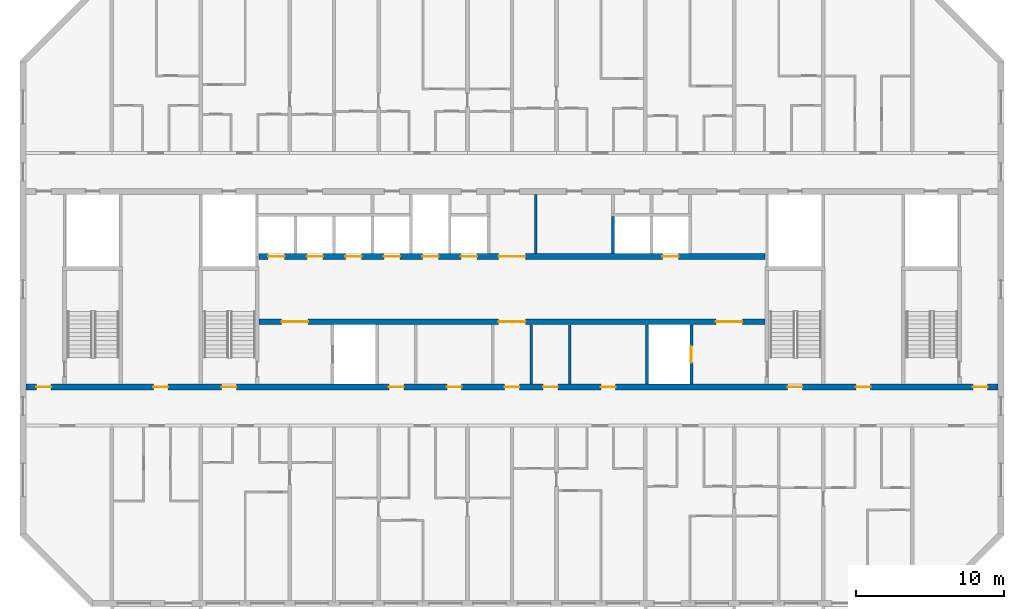
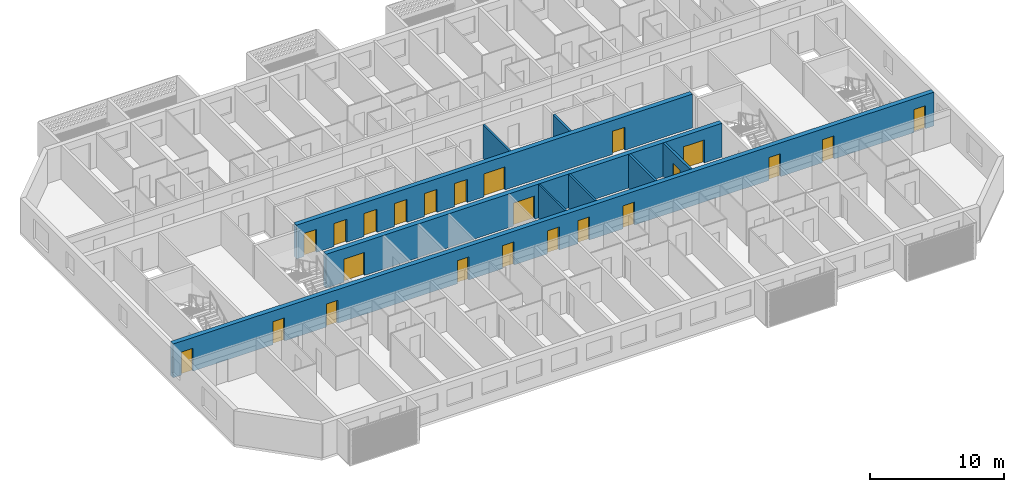
# One storey, part 6 of 28: 23 doors, 9 walls, 23 openings.
"""IFC4 building model written with IfcOpenShell, lengths in metres."""

from ifc_helpers import new_model, si_unit, direction, frame, frame_2d, origin, place, context, subcontext, project, spatial, rectangle, extrude, material, layer, layer_set, type_object, element, fill, save


model = new_model("IFC4")

# Units and contexts
model_context = context("Model", 3, precision=1e-05, world=origin(), true_north=direction((0.0, 1.0)))
body_context = subcontext(model_context, "Body", "Model", "MODEL_VIEW")
ifc_project = project(units=[si_unit("LENGTHUNIT", "METRE"), si_unit("AREAUNIT", "SQUARE_METRE"), si_unit("VOLUMEUNIT", "CUBIC_METRE"), si_unit("PLANEANGLEUNIT", "RADIAN"), si_unit("MASSUNIT", "GRAM", prefix="KILO")], contexts=[model_context])

# Site, building, storey
site_placement = place(None, origin())
site = spatial("IfcSite", under=ifc_project, at=site_placement, CompositionType="ELEMENT")
building_placement = place(site_placement, origin())
building = spatial("IfcBuilding", under=site, at=building_placement, Name="Poui Terraces", CompositionType="ELEMENT")
storey_placement = place(building_placement, frame((0.0, 0.0, 181.800048828125)))
storey = spatial("IfcBuildingStorey", under=building, at=storey_placement, Name="L50", CompositionType="ELEMENT", Elevation=181.800048828125)

# Wall, openings, doors
ifc_material_1 = material(Name="Concrete 50 MPa", Category="concrete")
ifc_layer_1 = layer(ifc_material_1, 0.39990234375)
ifc_layer_set_1 = layer_set([ifc_layer_1], Name="Concrete 50 MPa")
wall_type_1 = type_object("IfcWallType", Name="CORE WALL 400 50 MPA", PredefinedType="SOLIDWALL", material=ifc_layer_set_1)
wall_1_placement = place(storey_placement, frame((33.925048828125, 19.0, 0.0), z_axis=(0.0, 0.0, 1.0), x_axis=(1.0, 0.0, 0.0)))
wall_1 = element("IfcWall", 1, at=wall_1_placement, inside=storey, type_object=wall_type_1, Name="CORE WALL", PredefinedType="SOLIDWALL", context=body_context, shape_type="SweptSolid", body=[
    extrude(rectangle(XDim=34.14990234375, YDim=0.39990234375, at=frame_2d((17.074951171875, 0.0))), origin(), (0.0, 0.0, 1.0), 3.079833984375),
])
opening_1_placement = place(wall_1_placement, frame((16.175048828125, 0.0, 0.0)))
opening_1 = element("IfcOpeningElement", 2, at=opening_1_placement, cuts=wall_1, Name="Opening FDD60", PredefinedType="OPENING", context=body_context, shape_type="SweptSolid", body=[
    extrude(rectangle(XDim=1.800048828125, YDim=2.10009765625, at=frame_2d((0.89990234375, 1.050048828125))), frame((0.0, 0.2099609375, 0.0), z_axis=(0.0, -1.0, 0.0), x_axis=(1.0, 0.0, 0.0)), (0.0, 0.0, 1.0), 0.419921875),
])
opening_2_placement = place(wall_1_placement, frame((1.52490234375, 0.0, 0.0)))
opening_2 = element("IfcOpeningElement", 3, at=opening_2_placement, cuts=wall_1, Name="Opening FDD60", PredefinedType="OPENING", context=body_context, shape_type="SweptSolid", body=[
    extrude(rectangle(XDim=1.800048828125, YDim=2.10009765625, at=frame_2d((0.89990234375, 1.050048828125))), frame((0.0, 0.2099609375, 0.0), z_axis=(0.0, -1.0, 0.0), x_axis=(1.0, 0.0, 0.0)), (0.0, 0.0, 1.0), 0.419921875),
])
opening_3_placement = place(wall_1_placement, frame((30.824951171875, 0.0, 0.0)))
opening_3 = element("IfcOpeningElement", 4, at=opening_3_placement, cuts=wall_1, Name="Opening FDD60", PredefinedType="OPENING", context=body_context, shape_type="SweptSolid", body=[
    extrude(rectangle(XDim=1.800048828125, YDim=2.10009765625, at=frame_2d((0.89990234375, 1.050048828125))), frame((0.0, 0.2099609375, 0.0), z_axis=(0.0, -1.0, 0.0), x_axis=(1.0, 0.0, 0.0)), (0.0, 0.0, 1.0), 0.419921875),
])
ifc_material_2 = material(Name="Steel fire door", Category="steel")
door_type_1 = type_object("IfcDoorType", Name="DOUBLE LOBBY FIRE DOOR 1800 X 2100", OperationType="DOUBLE_DOOR_SINGLE_SWING", PredefinedType="DOOR", material=ifc_material_2)
door_1_placement = place(opening_1_placement, frame((1.800048828125, 0.0, 0.0), z_axis=(0.0, 0.0, 1.0), x_axis=(-1.0, 0.0, 0.0)))
door_1 = element("IfcDoor", 5, at=door_1_placement, inside=storey, type_object=door_type_1, Name="DOUBLE LOBBY FIRE DOOR 107", OperationType="DOUBLE_DOOR_SINGLE_SWING", OverallHeight=2.10009765625, OverallWidth=1.800048828125, PredefinedType="DOOR", context=body_context, shape_type="SweptSolid", body=[
    extrude(rectangle(XDim=1.800048828125, YDim=2.10009765625, at=frame_2d((0.89990234375, 1.050048828125))), frame((0.0, 0.02490234375, 0.0), z_axis=(0.0, -1.0, 0.0), x_axis=(1.0, 0.0, 0.0)), (0.0, 0.0, 1.0), 0.050048828125),
])
fill(opening_1, door_1)
door_2_placement = place(opening_2_placement, origin())
door_2 = element("IfcDoor", 6, at=door_2_placement, inside=storey, type_object=door_type_1, Name="DOUBLE LOBBY FIRE DOOR 109", OperationType="DOUBLE_DOOR_SINGLE_SWING", OverallHeight=2.10009765625, OverallWidth=1.800048828125, PredefinedType="DOOR", context=body_context, shape_type="SweptSolid", body=[
    extrude(rectangle(XDim=1.800048828125, YDim=2.10009765625, at=frame_2d((0.89990234375, 1.050048828125))), frame((0.0, 0.02490234375, 0.0), z_axis=(0.0, -1.0, 0.0), x_axis=(1.0, 0.0, 0.0)), (0.0, 0.0, 1.0), 0.050048828125),
])
fill(opening_2, door_2)
door_3_placement = place(opening_3_placement, origin())
door_3 = element("IfcDoor", 7, at=door_3_placement, inside=storey, type_object=door_type_1, Name="DOUBLE LOBBY FIRE DOOR 116", OperationType="DOUBLE_DOOR_SINGLE_SWING", OverallHeight=2.10009765625, OverallWidth=1.800048828125, PredefinedType="DOOR", context=body_context, shape_type="SweptSolid", body=[
    extrude(rectangle(XDim=1.800048828125, YDim=2.10009765625, at=frame_2d((0.89990234375, 1.050048828125))), frame((0.0, 0.02490234375, 0.0), z_axis=(0.0, -1.0, 0.0), x_axis=(1.0, 0.0, 0.0)), (0.0, 0.0, 1.0), 0.050048828125),
])
fill(opening_3, door_3)

wall_2_placement = place(storey_placement, frame((33.925048828125, 23.39990234375, 0.0), z_axis=(0.0, 0.0, 1.0), x_axis=(1.0, 0.0, 0.0)))
wall_2 = element("IfcWall", 8, at=wall_2_placement, inside=storey, type_object=wall_type_1, Name="CORE WALL", PredefinedType="SOLIDWALL", context=body_context, shape_type="SweptSolid", body=[
    extrude(rectangle(XDim=34.14990234375, YDim=0.39990234375, at=frame_2d((17.074951171875, 0.0))), origin(), (0.0, 0.0, 1.0), 3.079833984375),
])
opening_4_placement = place(wall_2_placement, frame((16.175048828125, 0.0, 0.0)))
opening_4 = element("IfcOpeningElement", 9, at=opening_4_placement, cuts=wall_2, Name="Opening FDD60", PredefinedType="OPENING", context=body_context, shape_type="SweptSolid", body=[
    extrude(rectangle(XDim=1.800048828125, YDim=2.10009765625, at=frame_2d((0.89990234375, 1.050048828125))), frame((0.0, 0.2099609375, 0.0), z_axis=(0.0, -1.0, 0.0), x_axis=(1.0, 0.0, 0.0)), (0.0, 0.0, 1.0), 0.419921875),
])
opening_5_placement = place(wall_2_placement, frame((0.625, 0.0, 0.0)))
opening_5 = element("IfcOpeningElement", 10, at=opening_5_placement, cuts=wall_2, Name="Opening LD", PredefinedType="OPENING", context=body_context, shape_type="SweptSolid", body=[
    extrude(rectangle(XDim=1.10009765625, YDim=2.10009765625, at=frame_2d((0.550048828125, 1.050048828125))), frame((0.0, 0.2099609375, 0.0), z_axis=(0.0, -1.0, 0.0), x_axis=(1.0, 0.0, 0.0)), (0.0, 0.0, 1.0), 0.419921875),
])
opening_6_placement = place(wall_2_placement, frame((3.22509765625, 0.0, 0.0)))
opening_6 = element("IfcOpeningElement", 11, at=opening_6_placement, cuts=wall_2, Name="Opening LD", PredefinedType="OPENING", context=body_context, shape_type="SweptSolid", body=[
    extrude(rectangle(XDim=1.10009765625, YDim=2.10009765625, at=frame_2d((0.550048828125, 1.050048828125))), frame((0.0, 0.2099609375, 0.0), z_axis=(0.0, -1.0, 0.0), x_axis=(1.0, 0.0, 0.0)), (0.0, 0.0, 1.0), 0.419921875),
])
opening_7_placement = place(wall_2_placement, frame((5.824951171875, 0.0, 0.0)))
opening_7 = element("IfcOpeningElement", 12, at=opening_7_placement, cuts=wall_2, Name="Opening LD", PredefinedType="OPENING", context=body_context, shape_type="SweptSolid", body=[
    extrude(rectangle(XDim=1.10009765625, YDim=2.10009765625, at=frame_2d((0.550048828125, 1.050048828125))), frame((0.0, 0.2099609375, 0.0), z_axis=(0.0, -1.0, 0.0), x_axis=(1.0, 0.0, 0.0)), (0.0, 0.0, 1.0), 0.419921875),
])
opening_8_placement = place(wall_2_placement, frame((8.425048828125, 0.0, 0.0)))
opening_8 = element("IfcOpeningElement", 13, at=opening_8_placement, cuts=wall_2, Name="Opening LD", PredefinedType="OPENING", context=body_context, shape_type="SweptSolid", body=[
    extrude(rectangle(XDim=1.10009765625, YDim=2.10009765625, at=frame_2d((0.550048828125, 1.050048828125))), frame((0.0, 0.2099609375, 0.0), z_axis=(0.0, -1.0, 0.0), x_axis=(1.0, 0.0, 0.0)), (0.0, 0.0, 1.0), 0.419921875),
])
opening_9_placement = place(wall_2_placement, frame((11.02490234375, 0.0, 0.0)))
opening_9 = element("IfcOpeningElement", 14, at=opening_9_placement, cuts=wall_2, Name="Opening LD", PredefinedType="OPENING", context=body_context, shape_type="SweptSolid", body=[
    extrude(rectangle(XDim=1.10009765625, YDim=2.10009765625, at=frame_2d((0.550048828125, 1.050048828125))), frame((0.0, 0.2099609375, 0.0), z_axis=(0.0, -1.0, 0.0), x_axis=(1.0, 0.0, 0.0)), (0.0, 0.0, 1.0), 0.419921875),
])
opening_10_placement = place(wall_2_placement, frame((13.625, 0.0, 0.0)))
opening_10 = element("IfcOpeningElement", 15, at=opening_10_placement, cuts=wall_2, Name="Opening LD", PredefinedType="OPENING", context=body_context, shape_type="SweptSolid", body=[
    extrude(rectangle(XDim=1.10009765625, YDim=2.10009765625, at=frame_2d((0.550048828125, 1.050048828125))), frame((0.0, 0.2099609375, 0.0), z_axis=(0.0, -1.0, 0.0), x_axis=(1.0, 0.0, 0.0)), (0.0, 0.0, 1.0), 0.419921875),
])
opening_11_placement = place(wall_2_placement, frame((27.22509765625, 0.0, 0.0)))
opening_11 = element("IfcOpeningElement", 16, at=opening_11_placement, cuts=wall_2, Name="Opening LD", PredefinedType="OPENING", context=body_context, shape_type="SweptSolid", body=[
    extrude(rectangle(XDim=1.10009765625, YDim=2.10009765625, at=frame_2d((0.550048828125, 1.050048828125))), frame((0.0, 0.2099609375, 0.0), z_axis=(0.0, -1.0, 0.0), x_axis=(1.0, 0.0, 0.0)), (0.0, 0.0, 1.0), 0.419921875),
])
door_4_placement = place(opening_4_placement, origin())
door_4 = element("IfcDoor", 17, at=door_4_placement, inside=storey, type_object=door_type_1, Name="DOUBLE LOBBY FIRE DOOR 106", OperationType="DOUBLE_DOOR_SINGLE_SWING", OverallHeight=2.10009765625, OverallWidth=1.800048828125, PredefinedType="DOOR", context=body_context, shape_type="SweptSolid", body=[
    extrude(rectangle(XDim=1.800048828125, YDim=2.10009765625, at=frame_2d((0.89990234375, 1.050048828125))), frame((0.0, 0.02490234375, 0.0), z_axis=(0.0, -1.0, 0.0), x_axis=(1.0, 0.0, 0.0)), (0.0, 0.0, 1.0), 0.050048828125),
])
fill(opening_4, door_4)
ifc_material_3 = material(Name="Stainless steel sliding door", Category="steel")
door_type_2 = type_object("IfcDoorType", Name="LIFT LANDING DOOR 1100 X 2100", OperationType="DOUBLE_DOOR_SLIDING", PredefinedType="DOOR", material=ifc_material_3)
door_5_placement = place(opening_5_placement, origin())
door_5 = element("IfcDoor", 18, at=door_5_placement, inside=storey, type_object=door_type_2, Name="LANDING DOOR", OperationType="DOUBLE_DOOR_SLIDING", OverallHeight=2.10009765625, OverallWidth=1.10009765625, PredefinedType="DOOR", context=body_context, shape_type="SweptSolid", body=[
    extrude(rectangle(XDim=1.10009765625, YDim=2.10009765625, at=frame_2d((0.550048828125, 1.050048828125))), frame((0.0, 0.02490234375, 0.0), z_axis=(0.0, -1.0, 0.0), x_axis=(1.0, 0.0, 0.0)), (0.0, 0.0, 1.0), 0.050048828125),
])
fill(opening_5, door_5)
door_6_placement = place(opening_6_placement, origin())
door_6 = element("IfcDoor", 19, at=door_6_placement, inside=storey, type_object=door_type_2, Name="LANDING DOOR", OperationType="DOUBLE_DOOR_SLIDING", OverallHeight=2.10009765625, OverallWidth=1.10009765625, PredefinedType="DOOR", context=body_context, shape_type="SweptSolid", body=[
    extrude(rectangle(XDim=1.10009765625, YDim=2.10009765625, at=frame_2d((0.550048828125, 1.050048828125))), frame((0.0, 0.02490234375, 0.0), z_axis=(0.0, -1.0, 0.0), x_axis=(1.0, 0.0, 0.0)), (0.0, 0.0, 1.0), 0.050048828125),
])
fill(opening_6, door_6)
door_7_placement = place(opening_7_placement, origin())
door_7 = element("IfcDoor", 20, at=door_7_placement, inside=storey, type_object=door_type_2, Name="LANDING DOOR", OperationType="DOUBLE_DOOR_SLIDING", OverallHeight=2.10009765625, OverallWidth=1.10009765625, PredefinedType="DOOR", context=body_context, shape_type="SweptSolid", body=[
    extrude(rectangle(XDim=1.10009765625, YDim=2.10009765625, at=frame_2d((0.550048828125, 1.050048828125))), frame((0.0, 0.02490234375, 0.0), z_axis=(0.0, -1.0, 0.0), x_axis=(1.0, 0.0, 0.0)), (0.0, 0.0, 1.0), 0.050048828125),
])
fill(opening_7, door_7)
door_8_placement = place(opening_8_placement, origin())
door_8 = element("IfcDoor", 21, at=door_8_placement, inside=storey, type_object=door_type_2, Name="LANDING DOOR", OperationType="DOUBLE_DOOR_SLIDING", OverallHeight=2.10009765625, OverallWidth=1.10009765625, PredefinedType="DOOR", context=body_context, shape_type="SweptSolid", body=[
    extrude(rectangle(XDim=1.10009765625, YDim=2.10009765625, at=frame_2d((0.550048828125, 1.050048828125))), frame((0.0, 0.02490234375, 0.0), z_axis=(0.0, -1.0, 0.0), x_axis=(1.0, 0.0, 0.0)), (0.0, 0.0, 1.0), 0.050048828125),
])
fill(opening_8, door_8)
door_9_placement = place(opening_9_placement, origin())
door_9 = element("IfcDoor", 22, at=door_9_placement, inside=storey, type_object=door_type_2, Name="LANDING DOOR", OperationType="DOUBLE_DOOR_SLIDING", OverallHeight=2.10009765625, OverallWidth=1.10009765625, PredefinedType="DOOR", context=body_context, shape_type="SweptSolid", body=[
    extrude(rectangle(XDim=1.10009765625, YDim=2.10009765625, at=frame_2d((0.550048828125, 1.050048828125))), frame((0.0, 0.02490234375, 0.0), z_axis=(0.0, -1.0, 0.0), x_axis=(1.0, 0.0, 0.0)), (0.0, 0.0, 1.0), 0.050048828125),
])
fill(opening_9, door_9)
door_10_placement = place(opening_10_placement, origin())
door_10 = element("IfcDoor", 23, at=door_10_placement, inside=storey, type_object=door_type_2, Name="LANDING DOOR", OperationType="DOUBLE_DOOR_SLIDING", OverallHeight=2.10009765625, OverallWidth=1.10009765625, PredefinedType="DOOR", context=body_context, shape_type="SweptSolid", body=[
    extrude(rectangle(XDim=1.10009765625, YDim=2.10009765625, at=frame_2d((0.550048828125, 1.050048828125))), frame((0.0, 0.02490234375, 0.0), z_axis=(0.0, -1.0, 0.0), x_axis=(1.0, 0.0, 0.0)), (0.0, 0.0, 1.0), 0.050048828125),
])
fill(opening_10, door_10)
door_11_placement = place(opening_11_placement, origin())
door_11 = element("IfcDoor", 24, at=door_11_placement, inside=storey, type_object=door_type_2, Name="LANDING DOOR", OperationType="DOUBLE_DOOR_SLIDING", OverallHeight=2.10009765625, OverallWidth=1.10009765625, PredefinedType="DOOR", context=body_context, shape_type="SweptSolid", body=[
    extrude(rectangle(XDim=1.10009765625, YDim=2.10009765625, at=frame_2d((0.550048828125, 1.050048828125))), frame((0.0, 0.02490234375, 0.0), z_axis=(0.0, -1.0, 0.0), x_axis=(1.0, 0.0, 0.0)), (0.0, 0.0, 1.0), 0.050048828125),
])
fill(opening_11, door_11)

# Walls
ifc_material_4 = material(Name="Fire-rated plasterboard wall")
ifc_layer_2 = layer(ifc_material_4, 0.14990234375)
ifc_layer_set_2 = layer_set([ifc_layer_2], Name="Fire-rated plasterboard wall")
wall_type_2 = type_object("IfcWallType", Name="CORRIDOR WALL 150", PredefinedType="PARTITIONING", material=ifc_layer_set_2)
for number, where, z_axis, x_axis, name in (
    (25, (52.300048828125, 14.81005859375, 0.0), (0.0, 0.0, 1.0), (0.0, 1.0, 0.0), "CORRIDOR WALL 150"),
    (26, (52.60009765625, 23.610107421875, 0.0), (0.0, 0.0, 1.0), (0.0, 1.0, 0.0), "CORRIDOR WALL 150"),
):
    element("IfcWall", number, at=place(storey_placement, frame(where, z_axis=z_axis, x_axis=x_axis)), inside=storey, type_object=wall_type_2, Name=name, PredefinedType="PARTITIONING", context=body_context, shape_type="SweptSolid", body=[
        extrude(rectangle(XDim=3.97998046875, YDim=0.14990234375, at=frame_2d((1.989990234375, 0.0))), origin(), (0.0, 0.0, 1.0), 3.079833984375),
    ])
ifc_material_5 = material(Name="Plasterboard partition")
ifc_layer_3 = layer(ifc_material_5, 0.14990234375)
ifc_layer_set_3 = layer_set([ifc_layer_3], Name="Plasterboard partition")
wall_type_3 = type_object("IfcWallType", Name="PARTITION WALL 150", PredefinedType="PARTITIONING", material=ifc_layer_set_3)
wall_3_placement = place(storey_placement, frame((54.89990234375, 14.81005859375, 0.0), z_axis=(0.0, 0.0, 1.0), x_axis=(0.0, 1.0, 0.0)))
element("IfcWall", 27, at=wall_3_placement, inside=storey, type_object=wall_type_3, Name="PARTITION WALL 150", PredefinedType="PARTITIONING", context=body_context, shape_type="SweptSolid", body=[
    extrude(rectangle(XDim=3.97998046875, YDim=0.14990234375, at=frame_2d((1.989990234375, 0.0))), origin(), (0.0, 0.0, 1.0), 3.079833984375),
])
ifc_material_6 = material(Name="Fire-rated masonry shaft wall", Category="masonry")
ifc_layer_4 = layer(ifc_material_6, 0.199951171875)
ifc_layer_set_4 = layer_set([ifc_layer_4], Name="Fire-rated masonry shaft wall")
wall_type_4 = type_object("IfcWallType", Name="SHAFT WALL 200", PredefinedType="PARTITIONING", material=ifc_layer_set_4)
wall_4_placement = place(storey_placement, frame((57.800048828125, 23.610107421875, 0.0), z_axis=(0.0, 0.0, 1.0), x_axis=(0.0, 1.0, 0.0)))
element("IfcWall", 28, at=wall_4_placement, inside=storey, type_object=wall_type_4, Name="SHAFT WALL 200", PredefinedType="PARTITIONING", context=body_context, shape_type="SweptSolid", body=[
    extrude(rectangle(XDim=2.489990234375, YDim=0.199951171875, at=frame_2d((1.2451171875, 0.0))), origin(), (0.0, 0.0, 1.0), 3.079833984375),
])
wall_5_placement = place(storey_placement, frame((60.10009765625, 14.81005859375, 0.0), z_axis=(0.0, 0.0, 1.0), x_axis=(0.0, 1.0, 0.0)))
element("IfcWall", 29, at=wall_5_placement, inside=storey, type_object=wall_type_4, Name="SHAFT WALL 200", PredefinedType="PARTITIONING", context=body_context, shape_type="SweptSolid", body=[
    extrude(rectangle(XDim=3.97998046875, YDim=0.199951171875, at=frame_2d((1.989990234375, 0.0))), origin(), (0.0, 0.0, 1.0), 3.079833984375),
])

# Wall, opening, door
wall_6_placement = place(storey_placement, frame((63.10009765625, 14.81005859375, 0.0), z_axis=(0.0, 0.0, 1.0), x_axis=(0.0, 1.0, 0.0)))
wall_6 = element("IfcWall", 30, at=wall_6_placement, inside=storey, type_object=wall_type_4, Name="SHAFT WALL 200", PredefinedType="PARTITIONING", context=body_context, shape_type="SweptSolid", body=[
    extrude(rectangle(XDim=3.97998046875, YDim=0.199951171875, at=frame_2d((1.989990234375, 0.0))), origin(), (0.0, 0.0, 1.0), 3.079833984375),
])
opening_12_placement = place(wall_6_placement, frame((1.43994140625, 0.0, 0.0)))
opening_12 = element("IfcOpeningElement", 31, at=opening_12_placement, cuts=wall_6, Name="Opening LD", PredefinedType="OPENING", context=body_context, shape_type="SweptSolid", body=[
    extrude(rectangle(XDim=1.10009765625, YDim=2.10009765625, at=frame_2d((0.550048828125, 1.050048828125))), frame((0.0, 0.10986328125, 0.0), z_axis=(0.0, -1.0, 0.0), x_axis=(1.0, 0.0, 0.0)), (0.0, 0.0, 1.0), 0.219970703125),
])
door_12_placement = place(opening_12_placement, origin())
door_12 = element("IfcDoor", 32, at=door_12_placement, inside=storey, type_object=door_type_2, Name="LANDING DOOR", OperationType="DOUBLE_DOOR_SLIDING", OverallHeight=2.10009765625, OverallWidth=1.10009765625, PredefinedType="DOOR", context=body_context, shape_type="SweptSolid", body=[
    extrude(rectangle(XDim=1.10009765625, YDim=2.10009765625, at=frame_2d((0.550048828125, 1.050048828125))), frame((0.0, 0.02490234375, 0.0), z_axis=(0.0, -1.0, 0.0), x_axis=(1.0, 0.0, 0.0)), (0.0, 0.0, 1.0), 0.050048828125),
])
fill(opening_12, door_12)

# Wall, openings, doors
ifc_layer_5 = layer(ifc_material_1, 0.39990234375)
ifc_layer_set_5 = layer_set([ifc_layer_5], Name="Concrete 50 MPa")
wall_type_5 = type_object("IfcWallType", Name="SPINE WALL 400 50 MPA", PredefinedType="SOLIDWALL", material=ifc_layer_set_5)
wall_7_placement = place(storey_placement, frame((18.199951171875, 14.60009765625, 0.0), z_axis=(0.0, 0.0, 1.0), x_axis=(1.0, 0.0, 0.0)))
wall_7 = element("IfcWall", 33, at=wall_7_placement, inside=storey, type_object=wall_type_5, Name="SPINE WALL", PredefinedType="SOLIDWALL", context=body_context, shape_type="SweptSolid", body=[
    extrude(rectangle(XDim=65.60009765625, YDim=0.39990234375, at=frame_2d((32.800048828125, 0.0))), origin(), (0.0, 0.0, 1.0), 3.079833984375),
])
opening_13_placement = place(wall_7_placement, frame((0.699951171875, 0.0, 0.0)))
opening_13 = element("IfcOpeningElement", 34, at=opening_13_placement, cuts=wall_7, Name="Opening FDL", PredefinedType="OPENING", context=body_context, shape_type="SweptSolid", body=[
    extrude(rectangle(XDim=1.0, YDim=2.10009765625, at=frame_2d((0.5, 1.050048828125))), frame((0.0, 0.2099609375, 0.0), z_axis=(0.0, -1.0, 0.0), x_axis=(1.0, 0.0, 0.0)), (0.0, 0.0, 1.0), 0.419921875),
])
opening_14_placement = place(wall_7_placement, frame((8.60009765625, 0.0, 0.0)))
opening_14 = element("IfcOpeningElement", 35, at=opening_14_placement, cuts=wall_7, Name="Opening D100", PredefinedType="OPENING", context=body_context, shape_type="SweptSolid", body=[
    extrude(rectangle(XDim=1.0, YDim=2.10009765625, at=frame_2d((0.5, 1.050048828125))), frame((0.0, 0.2099609375, 0.0), z_axis=(0.0, -1.0, 0.0), x_axis=(1.0, 0.0, 0.0)), (0.0, 0.0, 1.0), 0.419921875),
])
opening_15_placement = place(wall_7_placement, frame((13.199951171875, 0.0, 0.0)))
opening_15 = element("IfcOpeningElement", 36, at=opening_15_placement, cuts=wall_7, Name="Opening FD60S", PredefinedType="OPENING", context=body_context, shape_type="SweptSolid", body=[
    extrude(rectangle(XDim=1.0, YDim=2.10009765625, at=frame_2d((0.5, 1.050048828125))), frame((0.0, 0.2099609375, 0.0), z_axis=(0.0, -1.0, 0.0), x_axis=(1.0, 0.0, 0.0)), (0.0, 0.0, 1.0), 0.419921875),
])
opening_16_placement = place(wall_7_placement, frame((24.5, 0.0, 0.0)))
opening_16 = element("IfcOpeningElement", 37, at=opening_16_placement, cuts=wall_7, Name="Opening FD60", PredefinedType="OPENING", context=body_context, shape_type="SweptSolid", body=[
    extrude(rectangle(XDim=1.0, YDim=2.10009765625, at=frame_2d((0.5, 1.050048828125))), frame((0.0, 0.2099609375, 0.0), z_axis=(0.0, -1.0, 0.0), x_axis=(1.0, 0.0, 0.0)), (0.0, 0.0, 1.0), 0.419921875),
])
opening_17_placement = place(wall_7_placement, frame((28.39990234375, 0.0, 0.0)))
opening_17 = element("IfcOpeningElement", 38, at=opening_17_placement, cuts=wall_7, Name="Opening FD60", PredefinedType="OPENING", context=body_context, shape_type="SweptSolid", body=[
    extrude(rectangle(XDim=1.0, YDim=2.10009765625, at=frame_2d((0.5, 1.050048828125))), frame((0.0, 0.2099609375, 0.0), z_axis=(0.0, -1.0, 0.0), x_axis=(1.0, 0.0, 0.0)), (0.0, 0.0, 1.0), 0.419921875),
])
opening_18_placement = place(wall_7_placement, frame((32.300048828125, 0.0, 0.0)))
opening_18 = element("IfcOpeningElement", 39, at=opening_18_placement, cuts=wall_7, Name="Opening FDL", PredefinedType="OPENING", context=body_context, shape_type="SweptSolid", body=[
    extrude(rectangle(XDim=1.0, YDim=2.10009765625, at=frame_2d((0.5, 1.050048828125))), frame((0.0, 0.2099609375, 0.0), z_axis=(0.0, -1.0, 0.0), x_axis=(1.0, 0.0, 0.0)), (0.0, 0.0, 1.0), 0.419921875),
])
opening_19_placement = place(wall_7_placement, frame((34.89990234375, 0.0, 0.0)))
opening_19 = element("IfcOpeningElement", 40, at=opening_19_placement, cuts=wall_7, Name="Opening FD60", PredefinedType="OPENING", context=body_context, shape_type="SweptSolid", body=[
    extrude(rectangle(XDim=1.0, YDim=2.10009765625, at=frame_2d((0.5, 1.050048828125))), frame((0.0, 0.2099609375, 0.0), z_axis=(0.0, -1.0, 0.0), x_axis=(1.0, 0.0, 0.0)), (0.0, 0.0, 1.0), 0.419921875),
])
opening_20_placement = place(wall_7_placement, frame((38.800048828125, 0.0, 0.0)))
opening_20 = element("IfcOpeningElement", 41, at=opening_20_placement, cuts=wall_7, Name="Opening FD60", PredefinedType="OPENING", context=body_context, shape_type="SweptSolid", body=[
    extrude(rectangle(XDim=1.0, YDim=2.10009765625, at=frame_2d((0.5, 1.050048828125))), frame((0.0, 0.2099609375, 0.0), z_axis=(0.0, -1.0, 0.0), x_axis=(1.0, 0.0, 0.0)), (0.0, 0.0, 1.0), 0.419921875),
])
opening_21_placement = place(wall_7_placement, frame((51.39990234375, 0.0, 0.0)))
opening_21 = element("IfcOpeningElement", 42, at=opening_21_placement, cuts=wall_7, Name="Opening FD60S", PredefinedType="OPENING", context=body_context, shape_type="SweptSolid", body=[
    extrude(rectangle(XDim=1.0, YDim=2.10009765625, at=frame_2d((0.5, 1.050048828125))), frame((0.0, 0.2099609375, 0.0), z_axis=(0.0, -1.0, 0.0), x_axis=(1.0, 0.0, 0.0)), (0.0, 0.0, 1.0), 0.419921875),
])
opening_22_placement = place(wall_7_placement, frame((56.0, 0.0, 0.0)))
opening_22 = element("IfcOpeningElement", 43, at=opening_22_placement, cuts=wall_7, Name="Opening D100", PredefinedType="OPENING", context=body_context, shape_type="SweptSolid", body=[
    extrude(rectangle(XDim=1.0, YDim=2.10009765625, at=frame_2d((0.5, 1.050048828125))), frame((0.0, 0.2099609375, 0.0), z_axis=(0.0, -1.0, 0.0), x_axis=(1.0, 0.0, 0.0)), (0.0, 0.0, 1.0), 0.419921875),
])
opening_23_placement = place(wall_7_placement, frame((63.89990234375, 0.0, 0.0)))
opening_23 = element("IfcOpeningElement", 44, at=opening_23_placement, cuts=wall_7, Name="Opening FDL", PredefinedType="OPENING", context=body_context, shape_type="SweptSolid", body=[
    extrude(rectangle(XDim=1.0, YDim=2.10009765625, at=frame_2d((0.5, 1.050048828125))), frame((0.0, 0.2099609375, 0.0), z_axis=(0.0, -1.0, 0.0), x_axis=(1.0, 0.0, 0.0)), (0.0, 0.0, 1.0), 0.419921875),
])
ifc_material_7 = material(Name="Solid core timber door", Category="wood")
door_type_3 = type_object("IfcDoorType", Name="ACCESSIBLE INTERNAL DOOR 1000 X 2100", OperationType="NOTDEFINED", PredefinedType="DOOR", material=ifc_material_7)
door_13_placement = place(opening_14_placement, frame((1.0, 0.0, 0.0), z_axis=(0.0, 0.0, 1.0), x_axis=(-1.0, 0.0, 0.0)))
door_13 = element("IfcDoor", 45, at=door_13_placement, inside=storey, type_object=door_type_3, Name="ACCESSIBLE INTERNAL DOOR 016", OperationType="SINGLE_SWING_RIGHT", OverallHeight=2.10009765625, OverallWidth=1.0, PredefinedType="DOOR", context=body_context, shape_type="SweptSolid", body=[
    extrude(rectangle(XDim=1.0, YDim=2.10009765625, at=frame_2d((0.5, 1.050048828125))), frame((0.0, 0.02490234375, 0.0), z_axis=(0.0, -1.0, 0.0), x_axis=(1.0, 0.0, 0.0)), (0.0, 0.0, 1.0), 0.050048828125),
])
fill(opening_14, door_13)
door_14_placement = place(opening_22_placement, frame((1.0, 0.0, 0.0), z_axis=(0.0, 0.0, 1.0), x_axis=(-1.0, 0.0, 0.0)))
door_14 = element("IfcDoor", 46, at=door_14_placement, inside=storey, type_object=door_type_3, Name="ACCESSIBLE INTERNAL DOOR 024", OperationType="SINGLE_SWING_LEFT", OverallHeight=2.10009765625, OverallWidth=1.0, PredefinedType="DOOR", context=body_context, shape_type="SweptSolid", body=[
    extrude(rectangle(XDim=1.0, YDim=2.10009765625, at=frame_2d((0.5, 1.050048828125))), frame((0.0, 0.02490234375, 0.0), z_axis=(0.0, -1.0, 0.0), x_axis=(1.0, 0.0, 0.0)), (0.0, 0.0, 1.0), 0.050048828125),
])
fill(opening_22, door_14)
door_type_4 = type_object("IfcDoorType", Name="LOBBY FIRE DOOR 1000 X 2100", OperationType="NOTDEFINED", PredefinedType="DOOR", material=ifc_material_2)
door_15_placement = place(opening_13_placement, frame((1.0, 0.0, 0.0), z_axis=(0.0, 0.0, 1.0), x_axis=(-1.0, 0.0, 0.0)))
door_15 = element("IfcDoor", 47, at=door_15_placement, inside=storey, type_object=door_type_4, Name="LOBBY FIRE DOOR 015", OperationType="SINGLE_SWING_RIGHT", OverallHeight=2.10009765625, OverallWidth=1.0, PredefinedType="DOOR", context=body_context, shape_type="SweptSolid", body=[
    extrude(rectangle(XDim=1.0, YDim=2.10009765625, at=frame_2d((0.5, 1.050048828125))), frame((0.0, 0.02490234375, 0.0), z_axis=(0.0, -1.0, 0.0), x_axis=(1.0, 0.0, 0.0)), (0.0, 0.0, 1.0), 0.050048828125),
])
fill(opening_13, door_15)
door_16_placement = place(opening_18_placement, frame((1.0, 0.0, 0.0), z_axis=(0.0, 0.0, 1.0), x_axis=(-1.0, 0.0, 0.0)))
door_16 = element("IfcDoor", 48, at=door_16_placement, inside=storey, type_object=door_type_4, Name="LOBBY FIRE DOOR 020", OperationType="SINGLE_SWING_LEFT", OverallHeight=2.10009765625, OverallWidth=1.0, PredefinedType="DOOR", context=body_context, shape_type="SweptSolid", body=[
    extrude(rectangle(XDim=1.0, YDim=2.10009765625, at=frame_2d((0.5, 1.050048828125))), frame((0.0, 0.02490234375, 0.0), z_axis=(0.0, -1.0, 0.0), x_axis=(1.0, 0.0, 0.0)), (0.0, 0.0, 1.0), 0.050048828125),
])
fill(opening_18, door_16)
door_17_placement = place(opening_23_placement, frame((1.0, 0.0, 0.0), z_axis=(0.0, 0.0, 1.0), x_axis=(-1.0, 0.0, 0.0)))
door_17 = element("IfcDoor", 49, at=door_17_placement, inside=storey, type_object=door_type_4, Name="LOBBY FIRE DOOR 025", OperationType="SINGLE_SWING_LEFT", OverallHeight=2.10009765625, OverallWidth=1.0, PredefinedType="DOOR", context=body_context, shape_type="SweptSolid", body=[
    extrude(rectangle(XDim=1.0, YDim=2.10009765625, at=frame_2d((0.5, 1.050048828125))), frame((0.0, 0.02490234375, 0.0), z_axis=(0.0, -1.0, 0.0), x_axis=(1.0, 0.0, 0.0)), (0.0, 0.0, 1.0), 0.050048828125),
])
fill(opening_23, door_17)
door_type_5 = type_object("IfcDoorType", Name="SERVICE ROOM FIRE DOOR 1000 X 2100", OperationType="NOTDEFINED", PredefinedType="DOOR", material=ifc_material_2)
door_18_placement = place(opening_16_placement, frame((1.0, 0.0, 0.0), z_axis=(0.0, 0.0, 1.0), x_axis=(-1.0, 0.0, 0.0)))
door_18 = element("IfcDoor", 50, at=door_18_placement, inside=storey, type_object=door_type_5, Name="SERVICE ROOM FIRE DOOR 018", OperationType="SINGLE_SWING_LEFT", OverallHeight=2.10009765625, OverallWidth=1.0, PredefinedType="DOOR", context=body_context, shape_type="SweptSolid", body=[
    extrude(rectangle(XDim=1.0, YDim=2.10009765625, at=frame_2d((0.5, 1.050048828125))), frame((0.0, 0.02490234375, 0.0), z_axis=(0.0, -1.0, 0.0), x_axis=(1.0, 0.0, 0.0)), (0.0, 0.0, 1.0), 0.050048828125),
])
fill(opening_16, door_18)
door_19_placement = place(opening_17_placement, frame((1.0, 0.0, 0.0), z_axis=(0.0, 0.0, 1.0), x_axis=(-1.0, 0.0, 0.0)))
door_19 = element("IfcDoor", 51, at=door_19_placement, inside=storey, type_object=door_type_5, Name="SERVICE ROOM FIRE DOOR 019", OperationType="SINGLE_SWING_RIGHT", OverallHeight=2.10009765625, OverallWidth=1.0, PredefinedType="DOOR", context=body_context, shape_type="SweptSolid", body=[
    extrude(rectangle(XDim=1.0, YDim=2.10009765625, at=frame_2d((0.5, 1.050048828125))), frame((0.0, 0.02490234375, 0.0), z_axis=(0.0, -1.0, 0.0), x_axis=(1.0, 0.0, 0.0)), (0.0, 0.0, 1.0), 0.050048828125),
])
fill(opening_17, door_19)
door_20_placement = place(opening_19_placement, frame((1.0, 0.0, 0.0), z_axis=(0.0, 0.0, 1.0), x_axis=(-1.0, 0.0, 0.0)))
door_20 = element("IfcDoor", 52, at=door_20_placement, inside=storey, type_object=door_type_5, Name="SERVICE ROOM FIRE DOOR 021", OperationType="SINGLE_SWING_LEFT", OverallHeight=2.10009765625, OverallWidth=1.0, PredefinedType="DOOR", context=body_context, shape_type="SweptSolid", body=[
    extrude(rectangle(XDim=1.0, YDim=2.10009765625, at=frame_2d((0.5, 1.050048828125))), frame((0.0, 0.02490234375, 0.0), z_axis=(0.0, -1.0, 0.0), x_axis=(1.0, 0.0, 0.0)), (0.0, 0.0, 1.0), 0.050048828125),
])
fill(opening_19, door_20)
door_21_placement = place(opening_20_placement, frame((1.0, 0.0, 0.0), z_axis=(0.0, 0.0, 1.0), x_axis=(-1.0, 0.0, 0.0)))
door_21 = element("IfcDoor", 53, at=door_21_placement, inside=storey, type_object=door_type_5, Name="SERVICE ROOM FIRE DOOR 022", OperationType="SINGLE_SWING_RIGHT", OverallHeight=2.10009765625, OverallWidth=1.0, PredefinedType="DOOR", context=body_context, shape_type="SweptSolid", body=[
    extrude(rectangle(XDim=1.0, YDim=2.10009765625, at=frame_2d((0.5, 1.050048828125))), frame((0.0, 0.02490234375, 0.0), z_axis=(0.0, -1.0, 0.0), x_axis=(1.0, 0.0, 0.0)), (0.0, 0.0, 1.0), 0.050048828125),
])
fill(opening_20, door_21)
door_type_6 = type_object("IfcDoorType", Name="STAIR DOOR 1000 X 2100", OperationType="NOTDEFINED", PredefinedType="DOOR", material=ifc_material_2)
door_22_placement = place(opening_15_placement, origin())
door_22 = element("IfcDoor", 54, at=door_22_placement, inside=storey, type_object=door_type_6, Name="STAIR DOOR 017", OperationType="SINGLE_SWING_RIGHT", OverallHeight=2.10009765625, OverallWidth=1.0, PredefinedType="DOOR", context=body_context, shape_type="SweptSolid", body=[
    extrude(rectangle(XDim=1.0, YDim=2.10009765625, at=frame_2d((0.5, 1.050048828125))), frame((0.0, 0.02490234375, 0.0), z_axis=(0.0, -1.0, 0.0), x_axis=(1.0, 0.0, 0.0)), (0.0, 0.0, 1.0), 0.050048828125),
])
fill(opening_15, door_22)
door_23_placement = place(opening_21_placement, origin())
door_23 = element("IfcDoor", 55, at=door_23_placement, inside=storey, type_object=door_type_6, Name="STAIR DOOR 023", OperationType="SINGLE_SWING_RIGHT", OverallHeight=2.10009765625, OverallWidth=1.0, PredefinedType="DOOR", context=body_context, shape_type="SweptSolid", body=[
    extrude(rectangle(XDim=1.0, YDim=2.10009765625, at=frame_2d((0.5, 1.050048828125))), frame((0.0, 0.02490234375, 0.0), z_axis=(0.0, -1.0, 0.0), x_axis=(1.0, 0.0, 0.0)), (0.0, 0.0, 1.0), 0.050048828125),
])
fill(opening_21, door_23)

save(model, "model.ifc")
